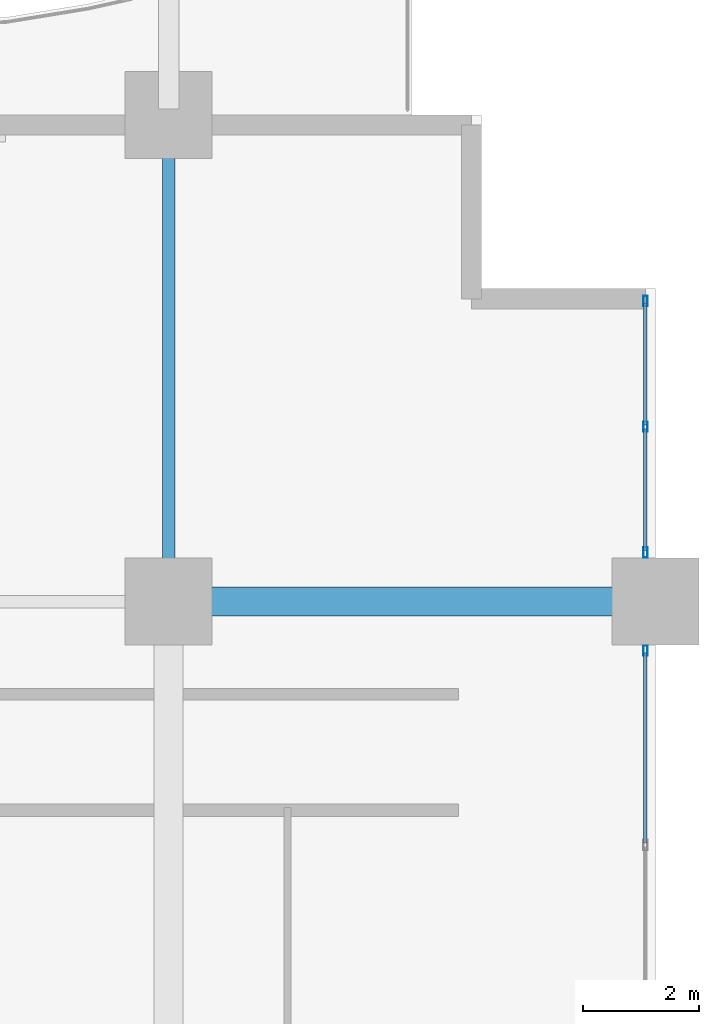
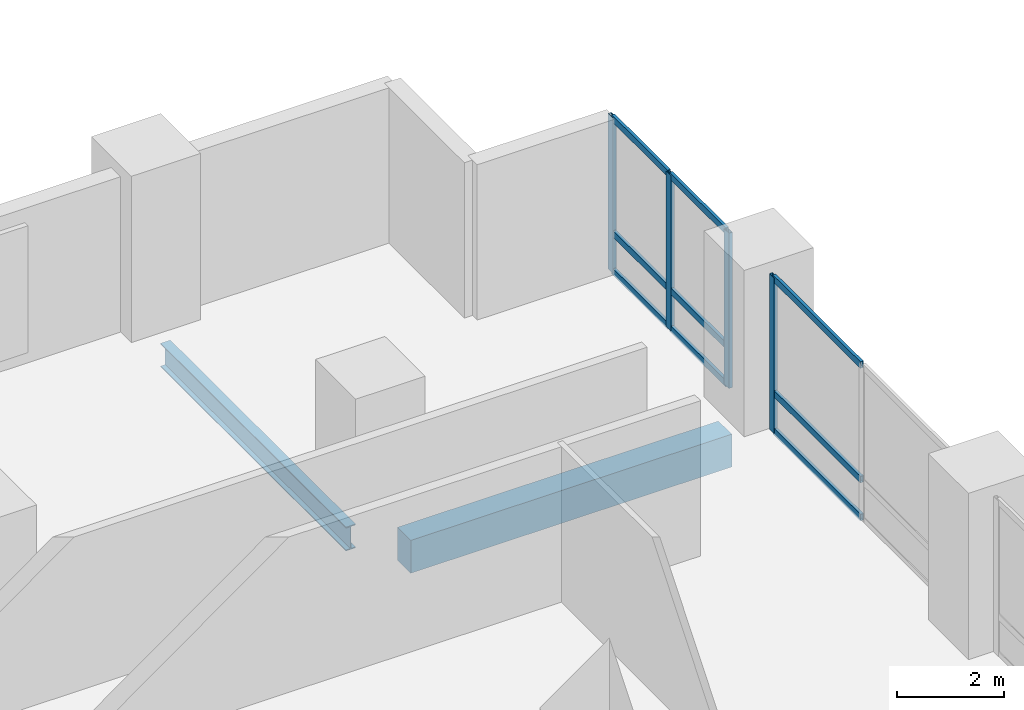
# One storey, part 7 of 27: 13 members, 2 beams, 2 elements without a shape of their own.
"""IFC4 building model written with IfcOpenShell, lengths in metres."""

from ifc_helpers import new_model, si_unit, direction, frame, origin, origin_2d, place, context, subcontext, project, spatial, rectangle, hollow_rectangle, i_section, extrude, material, layer, layer_set, material_profile, profile_set, type_object, element, aggregate, save


model = new_model("IFC4")

# Units and contexts
model_context = context("Model", 3, precision=1e-05, world=origin(), true_north=direction((0.0, 1.0)))
body_context = subcontext(model_context, "Body", "Model", "MODEL_VIEW")
ifc_project = project(units=[si_unit("LENGTHUNIT", "METRE"), si_unit("AREAUNIT", "SQUARE_METRE"), si_unit("VOLUMEUNIT", "CUBIC_METRE"), si_unit("PLANEANGLEUNIT", "RADIAN"), si_unit("MASSUNIT", "GRAM", prefix="KILO")], contexts=[model_context])

# Site, building, storey
site_placement = place(None, origin())
site = spatial("IfcSite", under=ifc_project, at=site_placement, CompositionType="ELEMENT")
building_placement = place(site_placement, origin())
building = spatial("IfcBuilding", under=site, at=building_placement, Name="Koriwani Terraces Tower", CompositionType="ELEMENT")
storey_placement = place(building_placement, frame((0.0, 0.0, 70.0)))
storey = spatial("IfcBuildingStorey", under=building, at=storey_placement, Name="L16", CompositionType="ELEMENT", Elevation=70.0)

# Beam
ifc_material_1 = material(Name="Concrete C50/60", Category="concrete")
ifc_material_profile_1 = material_profile(ifc_material_1, rectangle(XDim=0.5, YDim=0.75, at=origin_2d()), Name="Concrete C50/60", Category="LoadBearing")
ifc_profile_set_1 = profile_set([ifc_material_profile_1], Name="Concrete C50/60")
beam_type_1 = type_object("IfcBeamType", Name="BEAM_RC_GRID_500X750", PredefinedType="BEAM", material=ifc_profile_set_1)
beam_1_placement = place(storey_placement, frame((84.72998046875, 25.199951171875, -0.625), z_axis=(1.0, 0.0, 0.0), x_axis=(0.0, 1.0, 0.0)))
element("IfcBeam", 1, at=beam_1_placement, inside=storey, type_object=beam_type_1, Name="L16 Grid Beam D (84.0-92.4m)", PredefinedType="BEAM", context=body_context, shape_type="SweptSolid", body=[
    extrude(rectangle(XDim=0.5, YDim=0.75, at=origin_2d()), origin(), (0.0, 0.0, 1.0), 6.93994140625),
])

# Curtain wall, members
ifc_material_2 = material(Name="Anodised Bronze Aluminium", Category="aluminium")
ifc_layer = layer(ifc_material_2, 0.179931640625, Name="Anodised Bronze Aluminium")
ifc_layer_set = layer_set([ifc_layer], Name="Anodised Bronze Aluminium")
curtain_wall_type = type_object("IfcCurtainWallType", Name="CW_HOTEL_ZONE1", PredefinedType="NOTDEFINED", material=ifc_layer_set)
curtain_wall_1_placement = place(storey_placement, origin())
curtain_wall_1 = element("IfcCurtainWall", 2, at=curtain_wall_1_placement, inside=storey, type_object=curtain_wall_type, Name="L16 Unitised Curtain Wall (E_TIP) Bay 1", PredefinedType="NOTDEFINED")
ifc_material_profile_2 = material_profile(ifc_material_2, hollow_rectangle(XDim=0.074951171875, YDim=0.179931640625, WallThickness=0.006103515625, at=origin_2d()), Name="Anodised Bronze Aluminium", Category="LoadBearing")
ifc_profile_set_2 = profile_set([ifc_material_profile_2], Name="Anodised Bronze Aluminium")
member_type_1 = type_object("IfcMemberType", Name="CW_MULLION_180X75", PredefinedType="MULLION", material=ifc_profile_set_2)
member_1_placement = place(storey_placement, frame((92.22509765625, 30.387451171875, 0.0), z_axis=(0.0, 0.0, 1.0), x_axis=(1.0, 0.0, 0.0)))
member_1 = element("IfcMember", 3, at=member_1_placement, type_object=member_type_1, Name="CW-Z1 mullion 1", PredefinedType="MULLION", context=body_context, shape_type="SweptSolid", body=[
    extrude(hollow_rectangle(XDim=0.074951171875, YDim=0.179931640625, WallThickness=0.006103515625, at=origin_2d()), origin(), (0.0, 0.0, 1.0), 3.550048828125),
])
member_2_placement = place(storey_placement, frame((92.22509765625, 28.217529296875, 0.0), z_axis=(0.0, 0.0, 1.0), x_axis=(1.0, 0.0, 0.0)))
member_2 = element("IfcMember", 4, at=member_2_placement, type_object=member_type_1, Name="CW-Z1 mullion 2", PredefinedType="MULLION", context=body_context, shape_type="SweptSolid", body=[
    extrude(hollow_rectangle(XDim=0.074951171875, YDim=0.179931640625, WallThickness=0.006103515625, at=origin_2d()), origin(), (0.0, 0.0, 1.0), 3.550048828125),
])
member_3_placement = place(storey_placement, frame((92.22509765625, 26.047607421875, 0.0), z_axis=(0.0, 0.0, 1.0), x_axis=(1.0, 0.0, 0.0)))
member_3 = element("IfcMember", 5, at=member_3_placement, type_object=member_type_1, Name="CW-Z1 mullion 3", PredefinedType="MULLION", context=body_context, shape_type="SweptSolid", body=[
    extrude(hollow_rectangle(XDim=0.074951171875, YDim=0.179931640625, WallThickness=0.006103515625, at=origin_2d()), origin(), (0.0, 0.0, 1.0), 3.550048828125),
])

# Curtain wall, member
curtain_wall_2_placement = place(storey_placement, origin())
curtain_wall_2 = element("IfcCurtainWall", 6, at=curtain_wall_2_placement, inside=storey, type_object=curtain_wall_type, Name="L16 Unitised Curtain Wall (E_TIP) Bay 2", PredefinedType="NOTDEFINED")
member_4_placement = place(storey_placement, frame((92.22509765625, 24.3525390625, 0.0), z_axis=(0.0, 0.0, 1.0), x_axis=(1.0, 0.0, 0.0)))
member_4 = element("IfcMember", 7, at=member_4_placement, type_object=member_type_1, Name="CW-Z1 mullion 1", PredefinedType="MULLION", context=body_context, shape_type="SweptSolid", body=[
    extrude(hollow_rectangle(XDim=0.074951171875, YDim=0.179931640625, WallThickness=0.006103515625, at=origin_2d()), origin(), (0.0, 0.0, 1.0), 3.550048828125),
])

# Member
ifc_material_profile_3 = material_profile(ifc_material_2, hollow_rectangle(XDim=0.06494140625, YDim=0.14990234375, WallThickness=0.0048828125, at=origin_2d()), Name="Anodised Bronze Aluminium", Category="LoadBearing")
ifc_profile_set_3 = profile_set([ifc_material_profile_3], Name="Anodised Bronze Aluminium")
member_type_2 = type_object("IfcMemberType", Name="CW_TRANSOM_150X65", PredefinedType="USERDEFINED", material=ifc_profile_set_3)
member_5_placement = place(storey_placement, frame((92.22509765625, 30.35009765625, 0.032470703125), z_axis=(0.0, -1.0, 0.0), x_axis=(1.0, 0.0, 0.0)))
member_5 = element("IfcMember", 8, at=member_5_placement, type_object=member_type_2, Name="CW-Z1 transom 1.1", ObjectType="TRANSOM", PredefinedType="USERDEFINED", context=body_context, shape_type="SweptSolid", body=[
    extrude(hollow_rectangle(XDim=0.06494140625, YDim=0.14990234375, WallThickness=0.0048828125, at=origin_2d()), origin(), (0.0, 0.0, 1.0), 2.09521484375),
])

member_6_placement = place(storey_placement, frame((92.22509765625, 30.35009765625, 0.89990234375), z_axis=(0.0, -1.0, 0.0), x_axis=(1.0, 0.0, 0.0)))
member_6 = element("IfcMember", 9, at=member_6_placement, type_object=member_type_2, Name="CW-Z1 transom 1.2", ObjectType="TRANSOM", PredefinedType="USERDEFINED", context=body_context, shape_type="SweptSolid", body=[
    extrude(hollow_rectangle(XDim=0.06494140625, YDim=0.14990234375, WallThickness=0.0048828125, at=origin_2d()), origin(), (0.0, 0.0, 1.0), 2.09521484375),
])

member_7_placement = place(storey_placement, frame((92.22509765625, 30.35009765625, 3.517578125), z_axis=(0.0, -1.0, 0.0), x_axis=(1.0, 0.0, 0.0)))
member_7 = element("IfcMember", 10, at=member_7_placement, type_object=member_type_2, Name="CW-Z1 transom 1.3", ObjectType="TRANSOM", PredefinedType="USERDEFINED", context=body_context, shape_type="SweptSolid", body=[
    extrude(hollow_rectangle(XDim=0.06494140625, YDim=0.14990234375, WallThickness=0.0048828125, at=origin_2d()), origin(), (0.0, 0.0, 1.0), 2.09521484375),
])

member_8_placement = place(storey_placement, frame((92.22509765625, 28.179931640625, 0.032470703125), z_axis=(0.0, -1.0, 0.0), x_axis=(1.0, 0.0, 0.0)))
member_8 = element("IfcMember", 11, at=member_8_placement, type_object=member_type_2, Name="CW-Z1 transom 2.1", ObjectType="TRANSOM", PredefinedType="USERDEFINED", context=body_context, shape_type="SweptSolid", body=[
    extrude(hollow_rectangle(XDim=0.06494140625, YDim=0.14990234375, WallThickness=0.0048828125, at=origin_2d()), origin(), (0.0, 0.0, 1.0), 2.094970703125),
])

member_9_placement = place(storey_placement, frame((92.22509765625, 28.179931640625, 0.89990234375), z_axis=(0.0, -1.0, 0.0), x_axis=(1.0, 0.0, 0.0)))
member_9 = element("IfcMember", 12, at=member_9_placement, type_object=member_type_2, Name="CW-Z1 transom 2.2", ObjectType="TRANSOM", PredefinedType="USERDEFINED", context=body_context, shape_type="SweptSolid", body=[
    extrude(hollow_rectangle(XDim=0.06494140625, YDim=0.14990234375, WallThickness=0.0048828125, at=origin_2d()), origin(), (0.0, 0.0, 1.0), 2.094970703125),
])

member_10_placement = place(storey_placement, frame((92.22509765625, 28.179931640625, 3.517578125), z_axis=(0.0, -1.0, 0.0), x_axis=(1.0, 0.0, 0.0)))
member_10 = element("IfcMember", 13, at=member_10_placement, type_object=member_type_2, Name="CW-Z1 transom 2.3", ObjectType="TRANSOM", PredefinedType="USERDEFINED", context=body_context, shape_type="SweptSolid", body=[
    extrude(hollow_rectangle(XDim=0.06494140625, YDim=0.14990234375, WallThickness=0.0048828125, at=origin_2d()), origin(), (0.0, 0.0, 1.0), 2.094970703125),
])

aggregate(curtain_wall_1, [member_1, member_2, member_3, member_5, member_6, member_7, member_8, member_9, member_10])

member_11_placement = place(storey_placement, frame((92.22509765625, 24.31494140625, 0.032470703125), z_axis=(0.0, -1.0, 0.0), x_axis=(1.0, 0.0, 0.0)))
member_11 = element("IfcMember", 14, at=member_11_placement, type_object=member_type_2, Name="CW-Z1 transom 1.1", ObjectType="TRANSOM", PredefinedType="USERDEFINED", context=body_context, shape_type="SweptSolid", body=[
    extrude(hollow_rectangle(XDim=0.06494140625, YDim=0.14990234375, WallThickness=0.0048828125, at=origin_2d()), origin(), (0.0, 0.0, 1.0), 3.27734375),
])

member_12_placement = place(storey_placement, frame((92.22509765625, 24.31494140625, 0.89990234375), z_axis=(0.0, -1.0, 0.0), x_axis=(1.0, 0.0, 0.0)))
member_12 = element("IfcMember", 15, at=member_12_placement, type_object=member_type_2, Name="CW-Z1 transom 1.2", ObjectType="TRANSOM", PredefinedType="USERDEFINED", context=body_context, shape_type="SweptSolid", body=[
    extrude(hollow_rectangle(XDim=0.06494140625, YDim=0.14990234375, WallThickness=0.0048828125, at=origin_2d()), origin(), (0.0, 0.0, 1.0), 3.27734375),
])

member_13_placement = place(storey_placement, frame((92.22509765625, 24.31494140625, 3.517578125), z_axis=(0.0, -1.0, 0.0), x_axis=(1.0, 0.0, 0.0)))
member_13 = element("IfcMember", 16, at=member_13_placement, type_object=member_type_2, Name="CW-Z1 transom 1.3", ObjectType="TRANSOM", PredefinedType="USERDEFINED", context=body_context, shape_type="SweptSolid", body=[
    extrude(hollow_rectangle(XDim=0.06494140625, YDim=0.14990234375, WallThickness=0.0048828125, at=origin_2d()), origin(), (0.0, 0.0, 1.0), 3.27734375),
])

aggregate(curtain_wall_2, [member_4, member_11, member_12, member_13])

# Beam
ifc_material_3 = material(Name="Steel ASTM A572 Grade 50", Category="steel")
ifc_material_profile_4 = material_profile(ifc_material_3, i_section(OverallWidth=0.2119140625, OverallDepth=0.54296875, WebThickness=0.0126953125, FlangeThickness=0.021240234375, at=origin_2d()), Name="Steel ASTM A572 Grade 50", Category="LoadBearing")
ifc_profile_set_4 = profile_set([ifc_material_profile_4], Name="Steel ASTM A572 Grade 50")
beam_type_2 = type_object("IfcBeamType", Name="STEEL_BEAM_W530X150", PredefinedType="BEAM", material=ifc_profile_set_4)
beam_2_placement = place(storey_placement, frame((84.0, 25.929931640625, -0.521484375), z_axis=(0.0, 1.0, 0.0), x_axis=(-1.0, 0.0, 0.0)))
element("IfcBeam", 17, at=beam_2_placement, inside=storey, type_object=beam_type_2, Name="L16 Grid Beam 11 (25.2-33.6m)", PredefinedType="BEAM", context=body_context, shape_type="SweptSolid", body=[
    extrude(i_section(OverallWidth=0.2119140625, OverallDepth=0.54296875, WebThickness=0.0126953125, FlangeThickness=0.021240234375, at=origin_2d()), origin(), (0.0, 0.0, 1.0), 6.940185546875),
])

save(model, "model.ifc")
